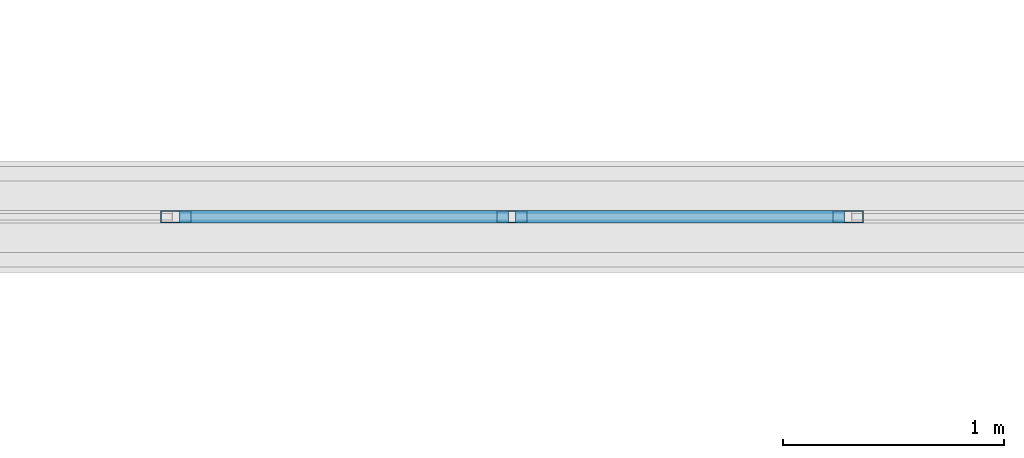
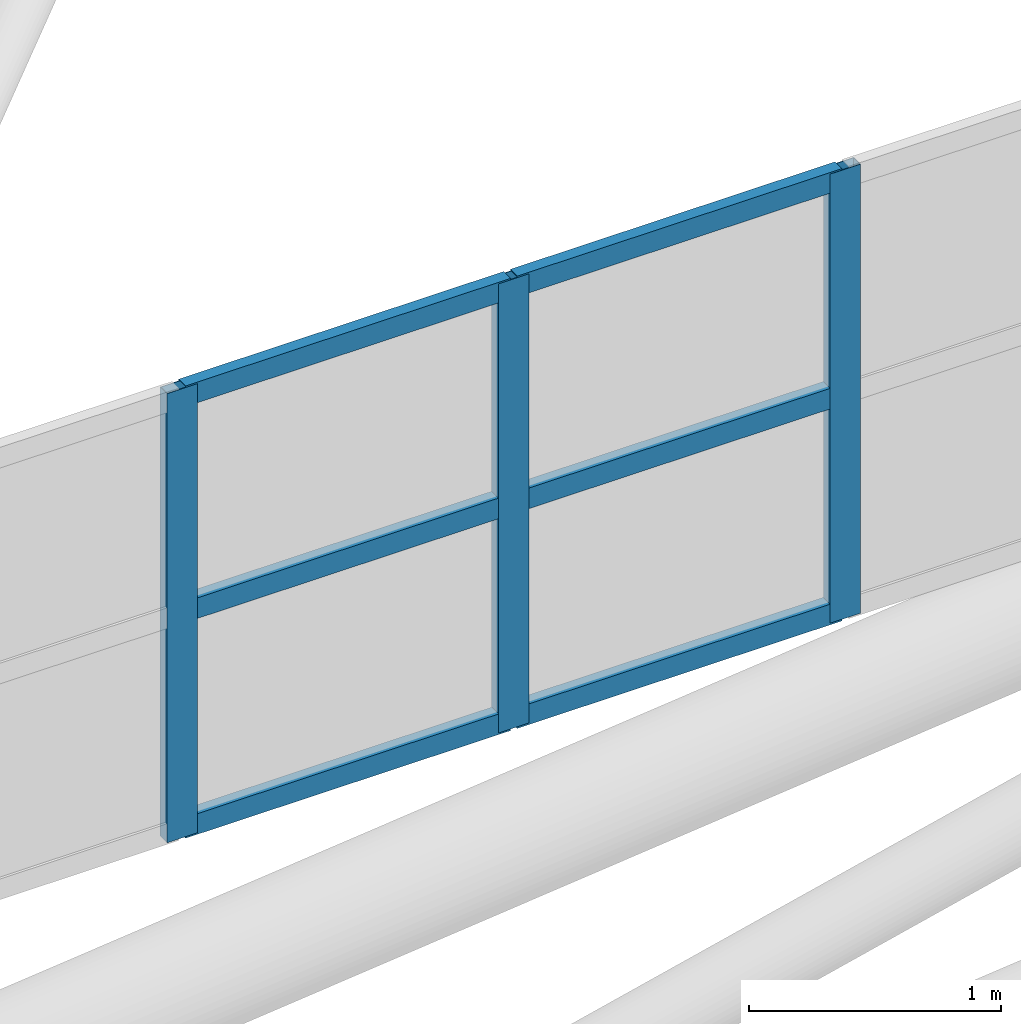
# One storey, part 35 of 397: 9 members, 1 element without a shape of its own.
"""IFC4 building model written with IfcOpenShell, lengths in metres."""

from ifc_helpers import new_model, si_unit, direction, frame, origin, origin_2d, place, context, subcontext, project, spatial, hollow_rectangle, extrude, material, material_profile, profile_set, type_object, element, aggregate, save


model = new_model("IFC4")

# Units and contexts
model_context = context("Model", 3, precision=1e-05, world=origin(), true_north=direction((0.0, 1.0)))
body_context = subcontext(model_context, "Body", "Model", "MODEL_VIEW")
ifc_project = project(units=[si_unit("LENGTHUNIT", "METRE"), si_unit("AREAUNIT", "SQUARE_METRE"), si_unit("VOLUMEUNIT", "CUBIC_METRE"), si_unit("PLANEANGLEUNIT", "RADIAN"), si_unit("MASSUNIT", "GRAM", prefix="KILO")], contexts=[model_context])

# Site, building, storey
site_placement = place(None, origin())
site = spatial("IfcSite", under=ifc_project, at=site_placement, CompositionType="ELEMENT")
building_placement = place(site_placement, origin())
building = spatial("IfcBuilding", under=site, at=building_placement, Name="Qandorah Velis Arena", CompositionType="ELEMENT")
storey_placement = place(building_placement, frame((0.0, 0.0, 27.5)))
storey = spatial("IfcBuildingStorey", under=building, at=storey_placement, Name="RF", CompositionType="ELEMENT", Elevation=27.5)

# Curtain wall, members
ifc_material_1 = material(Name="Solar-control low-E double glazing", Category="glass")
curtain_wall_type = type_object("IfcCurtainWallType", Name="ARC-CW-SYS16", PredefinedType="USERDEFINED", material=ifc_material_1)
curtain_wall_placement = place(storey_placement, origin())
curtain_wall = element("IfcCurtainWall", 1, at=curtain_wall_placement, inside=storey, type_object=curtain_wall_type, Name="Unitised curtain wall OCULUS-3-1", ObjectType="UNITISED CURTAIN WALL", PredefinedType="USERDEFINED")
ifc_material_2 = material(Name="Champagne-bronze anodized aluminium 6063-T6", Category="aluminium")
ifc_material_profile_1 = material_profile(ifc_material_2, hollow_rectangle(XDim=0.054931640625, YDim=0.139892578125, WallThickness=0.0029296875, at=origin_2d()), Name="ALU MULLION 55x140")
ifc_profile_set_1 = profile_set([ifc_material_profile_1], Name="Champagne-bronze anodized aluminium 6063-T6")
member_type_1 = type_object("IfcMemberType", Name="ARC-CWM-140", PredefinedType="MULLION", material=ifc_profile_set_1)
member_1_placement = place(storey_placement, frame((32.1943359375, 28.800048828125, 8.53515625), z_axis=(0.0, 0.0, 1.0), x_axis=(0.0, 1.0, 0.0)))
member_1 = element("IfcMember", 2, at=member_1_placement, type_object=member_type_1, Name="CW16 mullion 3", PredefinedType="MULLION", context=body_context, shape_type="SweptSolid", body=[
    extrude(hollow_rectangle(XDim=0.054931640625, YDim=0.139892578125, WallThickness=0.0029296875, at=origin_2d()), origin(), (0.0, 0.0, 1.0), 2.179931640625),
])
member_2_placement = place(storey_placement, frame((33.716552734375, 28.800048828125, 8.53515625), z_axis=(0.0, 0.0, 1.0), x_axis=(0.0, 1.0, 0.0)))
member_2 = element("IfcMember", 3, at=member_2_placement, type_object=member_type_1, Name="CW16 mullion 4", PredefinedType="MULLION", context=body_context, shape_type="SweptSolid", body=[
    extrude(hollow_rectangle(XDim=0.054931640625, YDim=0.139892578125, WallThickness=0.0029296875, at=origin_2d()), origin(), (0.0, 0.0, 1.0), 2.179931640625),
])
member_3_placement = place(storey_placement, frame((35.23876953125, 28.800048828125, 8.53515625), z_axis=(0.0, 0.0, 1.0), x_axis=(0.0, 1.0, 0.0)))
member_3 = element("IfcMember", 4, at=member_3_placement, type_object=member_type_1, Name="CW16 mullion 5", PredefinedType="MULLION", context=body_context, shape_type="SweptSolid", body=[
    extrude(hollow_rectangle(XDim=0.054931640625, YDim=0.139892578125, WallThickness=0.0029296875, at=origin_2d()), origin(), (0.0, 0.0, 1.0), 2.179931640625),
])
ifc_material_profile_2 = material_profile(ifc_material_2, hollow_rectangle(XDim=0.054931640625, YDim=0.10009765625, WallThickness=0.0029296875, at=origin_2d()), Name="ALU TRANSOM 55x100")
ifc_profile_set_2 = profile_set([ifc_material_profile_2], Name="Champagne-bronze anodized aluminium 6063-T6")
member_type_2 = type_object("IfcMemberType", Name="ARC-CWT-100", PredefinedType="USERDEFINED", material=ifc_profile_set_2)
member_4_placement = place(storey_placement, frame((32.2099609375, 28.800048828125, 8.57763671875), z_axis=(1.0, 0.0, 0.0), x_axis=(0.0, 1.0, 0.0)))
member_4 = element("IfcMember", 5, at=member_4_placement, type_object=member_type_2, Name="CW16 transom 3.1", ObjectType="TRANSOM", PredefinedType="USERDEFINED", context=body_context, shape_type="SweptSolid", body=[
    extrude(hollow_rectangle(XDim=0.054931640625, YDim=0.10009765625, WallThickness=0.0029296875, at=origin_2d()), origin(), (0.0, 0.0, 1.0), 1.4912109375),
])
member_5_placement = place(storey_placement, frame((32.2099609375, 28.800048828125, 9.625244140625), z_axis=(1.0, 0.0, 0.0), x_axis=(0.0, 1.0, 0.0)))
member_5 = element("IfcMember", 6, at=member_5_placement, type_object=member_type_2, Name="CW16 transom 3.2", ObjectType="TRANSOM", PredefinedType="USERDEFINED", context=body_context, shape_type="SweptSolid", body=[
    extrude(hollow_rectangle(XDim=0.054931640625, YDim=0.10009765625, WallThickness=0.0029296875, at=origin_2d()), origin(), (0.0, 0.0, 1.0), 1.4912109375),
])
member_6_placement = place(storey_placement, frame((32.2099609375, 28.800048828125, 10.672607421875), z_axis=(1.0, 0.0, 0.0), x_axis=(0.0, 1.0, 0.0)))
member_6 = element("IfcMember", 7, at=member_6_placement, type_object=member_type_2, Name="CW16 transom 3.3", ObjectType="TRANSOM", PredefinedType="USERDEFINED", context=body_context, shape_type="SweptSolid", body=[
    extrude(hollow_rectangle(XDim=0.054931640625, YDim=0.10009765625, WallThickness=0.0029296875, at=origin_2d()), origin(), (0.0, 0.0, 1.0), 1.4912109375),
])
member_7_placement = place(storey_placement, frame((33.732177734375, 28.800048828125, 8.57763671875), z_axis=(1.0, 0.0, 0.0), x_axis=(0.0, 1.0, 0.0)))
member_7 = element("IfcMember", 8, at=member_7_placement, type_object=member_type_2, Name="CW16 transom 4.1", ObjectType="TRANSOM", PredefinedType="USERDEFINED", context=body_context, shape_type="SweptSolid", body=[
    extrude(hollow_rectangle(XDim=0.054931640625, YDim=0.10009765625, WallThickness=0.0029296875, at=origin_2d()), origin(), (0.0, 0.0, 1.0), 1.4912109375),
])
member_8_placement = place(storey_placement, frame((33.732177734375, 28.800048828125, 9.625244140625), z_axis=(1.0, 0.0, 0.0), x_axis=(0.0, 1.0, 0.0)))
member_8 = element("IfcMember", 9, at=member_8_placement, type_object=member_type_2, Name="CW16 transom 4.2", ObjectType="TRANSOM", PredefinedType="USERDEFINED", context=body_context, shape_type="SweptSolid", body=[
    extrude(hollow_rectangle(XDim=0.054931640625, YDim=0.10009765625, WallThickness=0.0029296875, at=origin_2d()), origin(), (0.0, 0.0, 1.0), 1.4912109375),
])
member_9_placement = place(storey_placement, frame((33.732177734375, 28.800048828125, 10.672607421875), z_axis=(1.0, 0.0, 0.0), x_axis=(0.0, 1.0, 0.0)))
member_9 = element("IfcMember", 10, at=member_9_placement, type_object=member_type_2, Name="CW16 transom 4.3", ObjectType="TRANSOM", PredefinedType="USERDEFINED", context=body_context, shape_type="SweptSolid", body=[
    extrude(hollow_rectangle(XDim=0.054931640625, YDim=0.10009765625, WallThickness=0.0029296875, at=origin_2d()), origin(), (0.0, 0.0, 1.0), 1.4912109375),
])
aggregate(curtain_wall, [member_1, member_2, member_3, member_4, member_5, member_6, member_7, member_8, member_9])

save(model, "model.ifc")
